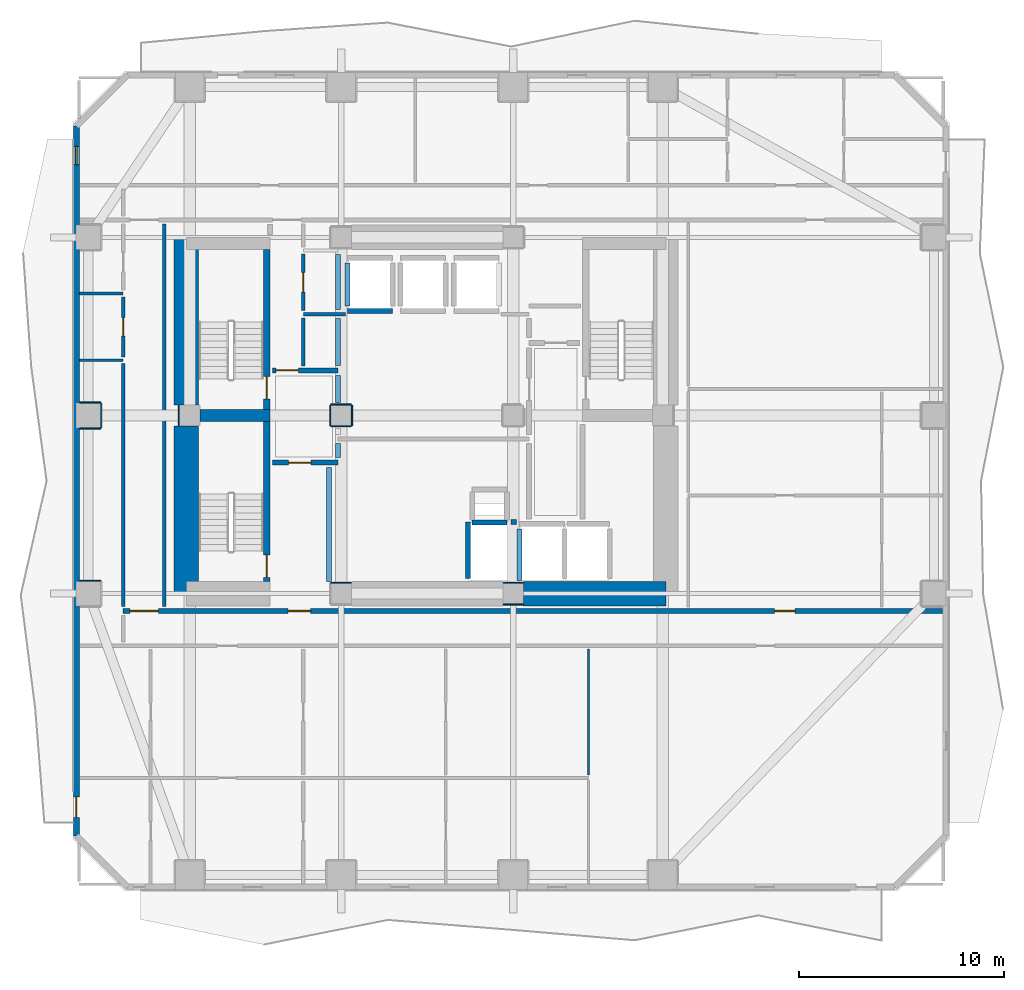
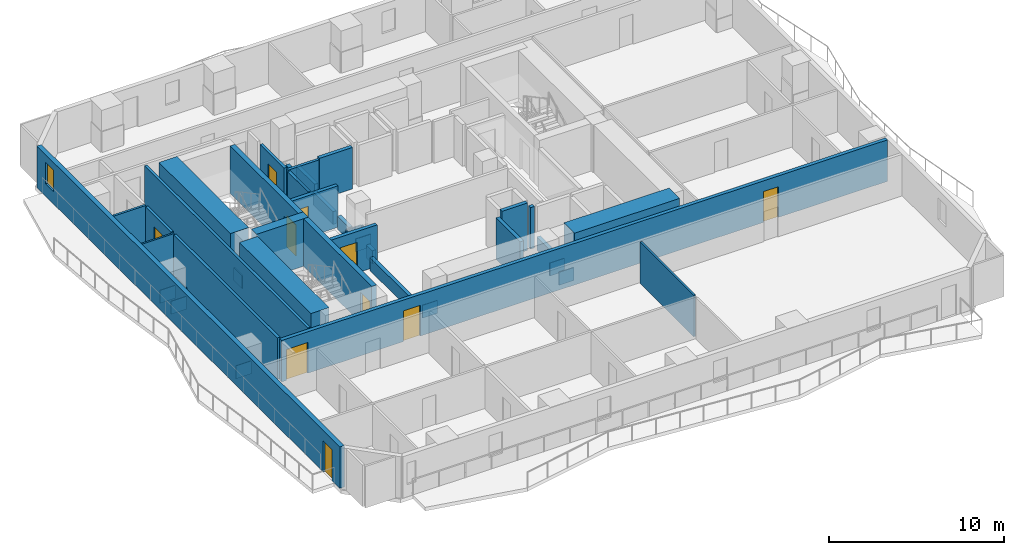
# One storey, part 3 of 9: 42 walls, 10 doors, 1 window, 11 openings.
"""IFC4 building model written with IfcOpenShell, lengths in metres."""

from ifc_helpers import new_model, si_unit, direction, frame, frame_2d, origin, place, context, subcontext, project, spatial, rectangle, extrude, material, layer, layer_set, type_object, element, fill, save


model = new_model("IFC4")

# Units and contexts
model_context = context("Model", 3, precision=1e-05, world=origin(), true_north=direction((0.0, 1.0)))
body_context = subcontext(model_context, "Body", "Model", "MODEL_VIEW")
ifc_project = project(units=[si_unit("LENGTHUNIT", "METRE"), si_unit("AREAUNIT", "SQUARE_METRE"), si_unit("VOLUMEUNIT", "CUBIC_METRE"), si_unit("PLANEANGLEUNIT", "RADIAN"), si_unit("MASSUNIT", "GRAM", prefix="KILO")], contexts=[model_context])

# Site, building, storey
site_placement = place(None, origin())
site = spatial("IfcSite", under=ifc_project, at=site_placement, CompositionType="ELEMENT")
building_placement = place(site_placement, origin())
building = spatial("IfcBuilding", under=site, at=building_placement, Name="Solanera Arch Residences", CompositionType="ELEMENT")
storey_placement = place(building_placement, frame((0.0, 0.0, 58.52001953125)))
storey = spatial("IfcBuildingStorey", under=building, at=storey_placement, Name="L16", CompositionType="ELEMENT", Elevation=58.52001953125)

# Walls
ifc_material_1 = material(Name="Fire-Rated Gypsum Stud Partition", Category="gypsum")
ifc_layer_1 = layer(ifc_material_1, 0.06005859375)
ifc_layer_set_1 = layer_set([ifc_layer_1], Name="Fire-Rated Gypsum Stud Partition")
wall_type_1 = type_object("IfcWallType", Name="Column Acoustic Furring Wall 60", PredefinedType="PARTITIONING", material=ifc_layer_set_1)
wall_1_placement = place(storey_placement, frame((20.300048828125, 22.531982421875, 0.0), z_axis=(0.0, 0.0, 1.0), x_axis=(1.0, 0.0, 0.0)))
element("IfcWall", 1, at=wall_1_placement, inside=storey, type_object=wall_type_1, Name="L16 Column Furring 1N", PredefinedType="PARTITIONING", context=body_context, shape_type="SweptSolid", body=[
    extrude(rectangle(XDim=0.989990234375, YDim=0.06005859375, at=frame_2d((0.4951171875, 0.0))), origin(), (0.0, 0.0, 1.0), 0.905029296875),
])
for number, where, z_axis, x_axis, name in (
    (2, (28.7099609375, 21.468017578125, 0.0), (0.0, 0.0, 1.0), (1.0, 0.0, 0.0), "L16 Column Furring 2S"),
    (3, (28.7099609375, 22.531982421875, 0.0), (0.0, 0.0, 1.0), (1.0, 0.0, 0.0), "L16 Column Furring 2N"),
    (4, (12.867919921875, 30.2099609375, 0.0), (0.0, 0.0, 1.0), (0.0, 1.0, 0.0), "L16 Column Furring 5W"),
):
    element("IfcWall", number, at=place(storey_placement, frame(where, z_axis=z_axis, x_axis=x_axis)), inside=storey, type_object=wall_type_1, Name=name, PredefinedType="PARTITIONING", context=body_context, shape_type="SweptSolid", body=[
        extrude(rectangle(XDim=0.97998046875, YDim=0.06005859375, at=frame_2d((0.489990234375, 0.0))), origin(), (0.0, 0.0, 1.0), 0.905029296875),
    ])
for number, where, z_axis, x_axis, name in (
    (5, (20.300048828125, 30.16796875, 0.0), (0.0, 0.0, 1.0), (1.0, 0.0, 0.0), "L16 Column Furring 7S"),
    (6, (20.300048828125, 31.23193359375, 0.0), (0.0, 0.0, 1.0), (1.0, 0.0, 0.0), "L16 Column Furring 7N"),
    (7, (20.26806640625, 30.199951171875, 0.0), (0.0, 0.0, 1.0), (0.0, 1.0, 0.0), "L16 Column Furring 7W"),
    (8, (21.33203125, 30.199951171875, 0.0), (0.0, 0.0, 1.0), (0.0, 1.0, 0.0), "L16 Column Furring 7E"),
):
    element("IfcWall", number, at=place(storey_placement, frame(where, z_axis=z_axis, x_axis=x_axis)), inside=storey, type_object=wall_type_1, Name=name, PredefinedType="PARTITIONING", context=body_context, shape_type="SweptSolid", body=[
        extrude(rectangle(XDim=1.0, YDim=0.06005859375, at=frame_2d((0.5, 0.0))), origin(), (0.0, 0.0, 1.0), 0.905029296875),
    ])
for number, where, z_axis, x_axis, name in (
    (9, (8.030029296875, 22.632080078125, 0.0), (0.0, 0.0, 1.0), (1.0, 0.0, 0.0), "L16 Column Furring 17N"),
    (10, (8.030029296875, 30.068115234375, 0.0), (0.0, 0.0, 1.0), (1.0, 0.0, 0.0), "L16 Column Furring 19S"),
    (11, (8.030029296875, 31.33203125, 0.0), (0.0, 0.0, 1.0), (1.0, 0.0, 0.0), "L16 Column Furring 19N"),
):
    element("IfcWall", number, at=place(storey_placement, frame(where, z_axis=z_axis, x_axis=x_axis)), inside=storey, type_object=wall_type_1, Name=name, PredefinedType="PARTITIONING", context=body_context, shape_type="SweptSolid", body=[
        extrude(rectangle(XDim=1.02001953125, YDim=0.06005859375, at=frame_2d((0.510009765625, 0.0))), origin(), (0.0, 0.0, 1.0), 0.905029296875),
    ])
wall_2_placement = place(storey_placement, frame((9.08203125, 30.10009765625, 0.0), z_axis=(0.0, 0.0, 1.0), x_axis=(0.0, 1.0, 0.0)))
element("IfcWall", 12, at=wall_2_placement, inside=storey, type_object=wall_type_1, Name="L16 Column Furring 19E", PredefinedType="PARTITIONING", context=body_context, shape_type="SweptSolid", body=[
    extrude(rectangle(XDim=1.199951171875, YDim=0.06005859375, at=frame_2d((0.60009765625, 0.0))), origin(), (0.0, 0.0, 1.0), 1.449951171875),
])
ifc_material_2 = material(Name="Concrete C55/67 (f'c = 60 MPa)", Category="concrete")
ifc_layer_2 = layer(ifc_material_2, 1.199951171875)
ifc_layer_set_2 = layer_set([ifc_layer_2], Name="Concrete C55/67 (f'c = 60 MPa)")
wall_type_2 = type_object("IfcWallType", Name="Core Shear Wall CW-1200", PredefinedType="SHEAR", material=ifc_layer_set_2)
wall_3_placement = place(storey_placement, frame((13.239990234375, 22.0, 0.0), z_axis=(0.0, 0.0, 1.0), x_axis=(0.0, 1.0, 0.0)))
element("IfcWall", 13, at=wall_3_placement, inside=storey, type_object=wall_type_2, Name="L16 West Core South Shear Wall", PredefinedType="SHEAR", context=body_context, shape_type="SweptSolid", body=[
    extrude(rectangle(XDim=8.195068359375, YDim=1.199951171875, at=frame_2d((4.09765625, 0.0))), origin(), (0.0, 0.0, 1.0), 3.320068359375),
])
wall_4_placement = place(storey_placement, frame((13.239990234375, 31.205078125, 0.0), z_axis=(0.0, 0.0, 1.0), x_axis=(0.0, 1.0, 0.0)))
element("IfcWall", 14, at=wall_4_placement, inside=storey, type_object=wall_type_2, Name="L16 West Core North Shear Wall", PredefinedType="SHEAR", context=body_context, shape_type="SweptSolid", body=[
    extrude(rectangle(XDim=8.19482421875, YDim=1.199951171875, at=frame_2d((4.097412109375, 0.0))), origin(), (0.0, 0.0, 1.0), 3.320068359375),
])
wall_5_placement = place(storey_placement, frame((29.705078125, 22.0, 0.0), z_axis=(0.0, 0.0, 1.0), x_axis=(1.0, 0.0, 0.0)))
element("IfcWall", 15, at=wall_5_placement, inside=storey, type_object=wall_type_2, Name="L16 South-East Core Shear Wall", PredefinedType="SHEAR", context=body_context, shape_type="SweptSolid", body=[
    extrude(rectangle(XDim=6.954833984375, YDim=1.199951171875, at=frame_2d((3.4775390625, 0.0))), origin(), (0.0, 0.0, 1.0), 3.320068359375),
])

# Wall, opening, door
ifc_material_3 = material(Name="Concrete C40/50 (f'c = 45 MPa)", Category="concrete")
ifc_layer_3 = layer(ifc_material_3, 0.320068359375)
ifc_layer_set_3 = layer_set([ifc_layer_3], Name="Concrete C40/50 (f'c = 45 MPa)")
wall_type_3 = type_object("IfcWallType", Name="Core Shear Wall CW-320", PredefinedType="SHEAR", material=ifc_layer_set_3)
wall_6_placement = place(storey_placement, frame((17.159912109375, 31.0, 0.0), z_axis=(0.0, 0.0, 1.0), x_axis=(0.0, 1.0, 0.0)))
wall_6 = element("IfcWall", 16, at=wall_6_placement, inside=storey, type_object=wall_type_3, Name="L16 Stair ST-T1 East Shear Wall", PredefinedType="SHEAR", context=body_context, shape_type="SweptSolid", body=[
    extrude(rectangle(XDim=7.800048828125, YDim=0.320068359375, at=frame_2d((3.89990234375, 0.0))), origin(), (0.0, 0.0, 1.0), 3.320068359375),
])
opening_1_placement = place(wall_6_placement, frame((0.510009765625, 0.0, 0.0)))
opening_1 = element("IfcOpeningElement", 17, at=opening_1_placement, cuts=wall_6, Name="Opening DF-01", PredefinedType="OPENING", context=body_context, shape_type="SweptSolid", body=[
    extrude(rectangle(XDim=1.10009765625, YDim=2.14990234375, at=frame_2d((0.550048828125, 1.074951171875))), frame((0.0, 0.169921875, 0.0), z_axis=(0.0, -1.0, 0.0), x_axis=(1.0, 0.0, 0.0)), (0.0, 0.0, 1.0), 0.3401),
])
ifc_material_4 = material(Name="Fire-Rated Architectural Hardwood", Category="wood")
door_type_1 = type_object("IfcDoorType", Name="Stair Exit Fire Door DF-01", OperationType="NOTDEFINED", PredefinedType="DOOR", material=ifc_material_4)
door_1_placement = place(opening_1_placement, origin())
door_1 = element("IfcDoor", 18, at=door_1_placement, inside=storey, type_object=door_type_1, Name="DR-L16-STAIR-ST-T1", OperationType="SINGLE_SWING_RIGHT", OverallHeight=2.14990234375, OverallWidth=1.10009765625, PredefinedType="DOOR", context=body_context, shape_type="SweptSolid", body=[
    extrude(rectangle(XDim=1.10009765625, YDim=2.14990234375, at=frame_2d((0.550048828125, 1.074951171875))), frame((0.0, 0.02490234375, 0.0), z_axis=(0.0, -1.0, 0.0), x_axis=(1.0, 0.0, 0.0)), (0.0, 0.0, 1.0), 0.050048828125),
])
fill(opening_1, door_1)

wall_7_placement = place(storey_placement, frame((17.159912109375, 22.60009765625, 0.0), z_axis=(0.0, 0.0, 1.0), x_axis=(0.0, 1.0, 0.0)))
wall_7 = element("IfcWall", 19, at=wall_7_placement, inside=storey, type_object=wall_type_3, Name="L16 Stair ST-T3 East Shear Wall", PredefinedType="SHEAR", context=body_context, shape_type="SweptSolid", body=[
    extrude(rectangle(XDim=7.7998046875, YDim=0.320068359375, at=frame_2d((3.89990234375, 0.0))), origin(), (0.0, 0.0, 1.0), 3.320068359375),
])
opening_2_placement = place(wall_7_placement, frame((0.18994140625, 0.0, 0.0)))
opening_2 = element("IfcOpeningElement", 20, at=opening_2_placement, cuts=wall_7, Name="Opening DF-01", PredefinedType="OPENING", context=body_context, shape_type="SweptSolid", body=[
    extrude(rectangle(XDim=1.10009765625, YDim=2.14990234375, at=frame_2d((0.550048828125, 1.074951171875))), frame((0.0, 0.169921875, 0.0), z_axis=(0.0, -1.0, 0.0), x_axis=(1.0, 0.0, 0.0)), (0.0, 0.0, 1.0), 0.3401),
])
door_2_placement = place(opening_2_placement, origin())
door_2 = element("IfcDoor", 21, at=door_2_placement, inside=storey, type_object=door_type_1, Name="DR-L16-STAIR-ST-T3", OperationType="SINGLE_SWING_RIGHT", OverallHeight=2.14990234375, OverallWidth=1.10009765625, PredefinedType="DOOR", context=body_context, shape_type="SweptSolid", body=[
    extrude(rectangle(XDim=1.10009765625, YDim=2.14990234375, at=frame_2d((0.550048828125, 1.074951171875))), frame((0.0, 0.02490234375, 0.0), z_axis=(0.0, -1.0, 0.0), x_axis=(1.0, 0.0, 0.0)), (0.0, 0.0, 1.0), 0.050048828125),
])
fill(opening_2, door_2)

# Walls
ifc_material_5 = material(Name="Concrete C40/50 (f'c = 45 MPa)", Category="concrete")
ifc_layer_4 = layer(ifc_material_5, 0.60009765625)
ifc_layer_set_4 = layer_set([ifc_layer_4], Name="Concrete C40/50 (f'c = 45 MPa)")
wall_type_4 = type_object("IfcWallType", Name="Core Shear Wall CW-600", PredefinedType="SHEAR", material=ifc_layer_set_4)
wall_8_placement = place(storey_placement, frame((13.905029296875, 30.699951171875, 0.0), z_axis=(0.0, 0.0, 1.0), x_axis=(1.0, 0.0, 0.0)))
element("IfcWall", 22, at=wall_8_placement, inside=storey, type_object=wall_type_4, Name="L16 West Stair Divider Shear Wall", PredefinedType="SHEAR", context=body_context, shape_type="SweptSolid", body=[
    extrude(rectangle(XDim=3.4150390625, YDim=0.60009765625, at=frame_2d((1.70751953125, 0.0))), origin(), (0.0, 0.0, 1.0), 3.320068359375),
])
ifc_material_6 = material(Name="Autoclaved Aerated Concrete Blockwork", Category="masonry")
ifc_layer_5 = layer(ifc_material_6, 0.179931640625)
ifc_layer_set_5 = layer_set([ifc_layer_5], Name="Autoclaved Aerated Concrete Blockwork")
wall_type_5 = type_object("IfcWallType", Name="Corridor Fire Partition 180", PredefinedType="PARTITIONING", material=ifc_layer_set_5)
wall_9_placement = place(storey_placement, frame((18.949951171875, 35.64990234375, 0.0), z_axis=(0.0, 0.0, 1.0), x_axis=(1.0, 0.0, 0.0)))
element("IfcWall", 23, at=wall_9_placement, inside=storey, type_object=wall_type_5, Name="L16 Interior Partition H8 1", PredefinedType="PARTITIONING", context=body_context, shape_type="SweptSolid", body=[
    extrude(rectangle(XDim=2.05712890625, YDim=0.179931640625, at=frame_2d((1.028564453125, 0.0))), origin(), (0.0, 0.0, 1.0), 2.89990234375),
])
wall_10_placement = place(storey_placement, frame((10.14990234375, 21.367919921875, 0.0), z_axis=(0.0, 0.0, 1.0), x_axis=(0.0, 1.0, 0.0)))
element("IfcWall", 24, at=wall_10_placement, inside=storey, type_object=wall_type_5, Name="L16 Interior Partition V6 2", PredefinedType="PARTITIONING", context=body_context, shape_type="SweptSolid", body=[
    extrude(rectangle(XDim=11.8740234375, YDim=0.179931640625, at=frame_2d((5.93701171875, 0.0))), origin(), (0.0, 0.0, 1.0), 2.89990234375),
])

# Wall, opening, door
wall_11_placement = place(storey_placement, frame((10.14990234375, 33.55810546875, 0.0), z_axis=(0.0, 0.0, 1.0), x_axis=(0.0, 1.0, 0.0)))
wall_11 = element("IfcWall", 25, at=wall_11_placement, inside=storey, type_object=wall_type_5, Name="L16 Interior Partition V6 3", PredefinedType="PARTITIONING", context=body_context, shape_type="SweptSolid", body=[
    extrude(rectangle(XDim=2.923828125, YDim=0.179931640625, at=frame_2d((1.4619140625, 0.0))), origin(), (0.0, 0.0, 1.0), 2.89990234375),
])
opening_3_placement = place(wall_11_placement, frame((1.01708984375, 0.0, 0.0)))
opening_3 = element("IfcOpeningElement", 26, at=opening_3_placement, cuts=wall_11, Name="Opening DI-02", PredefinedType="OPENING", context=body_context, shape_type="SweptSolid", body=[
    extrude(rectangle(XDim=0.89990234375, YDim=2.10009765625, at=frame_2d((0.449951171875, 1.050048828125))), frame((0.0, 0.10009765625, 0.0), z_axis=(0.0, -1.0, 0.0), x_axis=(1.0, 0.0, 0.0)), (0.0, 0.0, 1.0), 0.1999),
])
ifc_material_7 = material(Name="Fire-Rated Architectural Hardwood", Category="wood")
door_type_2 = type_object("IfcDoorType", Name="Suite Room Swing Door DI-02", OperationType="NOTDEFINED", PredefinedType="DOOR", material=ifc_material_7)
door_3_placement = place(opening_3_placement, origin())
door_3 = element("IfcDoor", 27, at=door_3_placement, inside=storey, type_object=door_type_2, Name="DR-L16-IN-029", OperationType="SINGLE_SWING_RIGHT", OverallHeight=2.10009765625, OverallWidth=0.89990234375, PredefinedType="DOOR", context=body_context, shape_type="SweptSolid", body=[
    extrude(rectangle(XDim=0.89990234375, YDim=2.10009765625, at=frame_2d((0.449951171875, 1.050048828125))), frame((0.0, 0.02490234375, 0.0), z_axis=(0.0, -1.0, 0.0), x_axis=(1.0, 0.0, 0.0)), (0.0, 0.0, 1.0), 0.050048828125),
])
fill(opening_3, door_3)

# Walls
wall_12_placement = place(storey_placement, frame((12.14990234375, 21.367919921875, 0.0), z_axis=(0.0, 0.0, 1.0), x_axis=(0.0, 1.0, 0.0)))
element("IfcWall", 28, at=wall_12_placement, inside=storey, type_object=wall_type_5, Name="L16 Interior Partition V7", PredefinedType="PARTITIONING", context=body_context, shape_type="SweptSolid", body=[
    extrude(rectangle(XDim=18.694091796875, YDim=0.179931640625, at=frame_2d((9.34716796875, 0.0))), origin(), (0.0, 0.0, 1.0), 2.89990234375),
])
wall_13_placement = place(storey_placement, frame((18.949951171875, 33.117919921875, 0.0), z_axis=(0.0, 0.0, 1.0), x_axis=(0.0, 1.0, 0.0)))
element("IfcWall", 29, at=wall_13_placement, inside=storey, type_object=wall_type_5, Name="L16 Interior Partition V9 1", PredefinedType="PARTITIONING", context=body_context, shape_type="SweptSolid", body=[
    extrude(rectangle(XDim=2.343994140625, YDim=0.179931640625, at=frame_2d((1.171875, 0.0))), origin(), (0.0, 0.0, 1.0), 2.89990234375),
])

# Wall, opening, door
wall_14_placement = place(storey_placement, frame((18.949951171875, 35.837890625, 0.0), z_axis=(0.0, 0.0, 1.0), x_axis=(0.0, 1.0, 0.0)))
wall_14 = element("IfcWall", 30, at=wall_14_placement, inside=storey, type_object=wall_type_5, Name="L16 Interior Partition V9 2", PredefinedType="PARTITIONING", context=body_context, shape_type="SweptSolid", body=[
    extrude(rectangle(XDim=2.744140625, YDim=0.179931640625, at=frame_2d((1.3720703125, 0.0))), origin(), (0.0, 0.0, 1.0), 2.89990234375),
])
opening_4_placement = place(wall_14_placement, frame((0.886962890625, 0.0, 0.0)))
opening_4 = element("IfcOpeningElement", 31, at=opening_4_placement, cuts=wall_14, Name="Opening DI-04", PredefinedType="OPENING", context=body_context, shape_type="SweptSolid", body=[
    extrude(rectangle(XDim=0.949951171875, YDim=2.10009765625, at=frame_2d((0.47509765625, 1.050048828125))), frame((0.0, 0.10009765625, 0.0), z_axis=(0.0, -1.0, 0.0), x_axis=(1.0, 0.0, 0.0)), (0.0, 0.0, 1.0), 0.1999),
])
ifc_material_8 = material(Name="Fire-Rated Architectural Hardwood", Category="wood")
door_type_3 = type_object("IfcDoorType", Name="Accessible Restroom Door DI-04", OperationType="NOTDEFINED", PredefinedType="DOOR", material=ifc_material_8)
door_4_placement = place(opening_4_placement, origin())
door_4 = element("IfcDoor", 32, at=door_4_placement, inside=storey, type_object=door_type_3, Name="DR-L16-IN-012", OperationType="SINGLE_SWING_LEFT", OverallHeight=2.10009765625, OverallWidth=0.949951171875, PredefinedType="DOOR", context=body_context, shape_type="SweptSolid", body=[
    extrude(rectangle(XDim=0.949951171875, YDim=2.10009765625, at=frame_2d((0.47509765625, 1.050048828125))), frame((0.0, 0.02490234375, 0.0), z_axis=(0.0, -1.0, 0.0), x_axis=(1.0, 0.0, 0.0)), (0.0, 0.0, 1.0), 0.050048828125),
])
fill(opening_4, door_4)

# Wall, openings, door, window
ifc_material_9 = material(Name="Precast Concrete C35/45", Category="concrete")
ifc_layer_6 = layer(ifc_material_9, 0.300048828125)
ifc_layer_set_6 = layer_set([ifc_layer_6], Name="Precast Concrete C35/45")
wall_type_6 = type_object("IfcWallType", Name="Exterior Wall Precast Masonry-Frame 300", PredefinedType="STANDARD", material=ifc_layer_set_6)
wall_15_placement = place(storey_placement, frame((7.864990234375, 10.1650390625, 0.0), z_axis=(0.0, 0.0, 1.0), x_axis=(0.0, 1.0, 0.0)))
wall_15 = element("IfcWall", 33, at=wall_15_placement, inside=storey, type_object=wall_type_6, Name="L16 Tower Exterior Precast Masonry-Frame Wall W", PredefinedType="STANDARD", context=body_context, shape_type="SweptSolid", body=[
    extrude(rectangle(XDim=34.669921875, YDim=0.300048828125, at=frame_2d((17.3349609375, 0.0))), origin(), (0.0, 0.0, 1.0), 2.89990234375),
])
opening_5_placement = place(wall_15_placement, frame((0.90087890625, 0.0, 0.0)))
opening_5 = element("IfcOpeningElement", 34, at=opening_5_placement, cuts=wall_15, Name="Opening DB-01", PredefinedType="OPENING", context=body_context, shape_type="SweptSolid", body=[
    extrude(rectangle(XDim=1.0, YDim=2.14990234375, at=frame_2d((0.5, 1.074951171875))), frame((0.0, 0.159912109375, 0.0), z_axis=(0.0, -1.0, 0.0), x_axis=(1.0, 0.0, 0.0)), (0.0, 0.0, 1.0), 0.32),
])
opening_6_placement = place(wall_15_placement, frame((32.781982421875, 0.0, 0.85009765625)))
opening_6 = element("IfcOpeningElement", 35, at=opening_6_placement, cuts=wall_15, Name="Opening W-06", PredefinedType="OPENING", context=body_context, shape_type="SweptSolid", body=[
    extrude(rectangle(XDim=0.89990234375, YDim=1.5, at=frame_2d((0.449951171875, 0.75))), frame((0.0, 0.159912109375, 0.0), z_axis=(0.0, -1.0, 0.0), x_axis=(1.0, 0.0, 0.0)), (0.0, 0.0, 1.0), 0.32),
])
ifc_material_10 = material(Name="Anodised Aluminium Alloy 6063-T6", Category="aluminium")
door_type_4 = type_object("IfcDoorType", Name="Glazed Balcony Swing Door DB-01", OperationType="NOTDEFINED", PredefinedType="DOOR", material=ifc_material_10)
door_5_placement = place(opening_5_placement, origin())
door_5 = element("IfcDoor", 36, at=door_5_placement, inside=storey, type_object=door_type_4, Name="DR-L16-OUT-04", OperationType="SINGLE_SWING_LEFT", OverallHeight=2.14990234375, OverallWidth=1.0, PredefinedType="DOOR", context=body_context, shape_type="SweptSolid", body=[
    extrude(rectangle(XDim=1.0, YDim=2.14990234375, at=frame_2d((0.5, 1.074951171875))), frame((0.0, 0.02490234375, 0.0), z_axis=(0.0, -1.0, 0.0), x_axis=(1.0, 0.0, 0.0)), (0.0, 0.0, 1.0), 0.050048828125),
])
fill(opening_5, door_5)
ifc_material_11 = material(Name="Double Glazed Low-E Laminated Glass", Category="glass")
window_type = type_object("IfcWindowType", Name="Punched Window W-06", PartitioningType="SINGLE_PANEL", PredefinedType="WINDOW", material=ifc_material_11)
window_placement = place(opening_6_placement, origin())
window = element("IfcWindow", 37, at=window_placement, inside=storey, type_object=window_type, Name="L16 AMN-MTG1 Punched Window", OverallHeight=1.5, OverallWidth=0.89990234375, PartitioningType="SINGLE_PANEL", PredefinedType="WINDOW", context=body_context, shape_type="SweptSolid", body=[
    extrude(rectangle(XDim=0.89990234375, YDim=1.5, at=frame_2d((0.449951171875, 0.75))), frame((0.0, 0.030029296875, 0.0), z_axis=(0.0, -1.0, 0.0), x_axis=(1.0, 0.0, 0.0)), (0.0, 0.0, 1.0), 0.06005859375),
])
fill(opening_6, window)

# Walls
ifc_material_12 = material(Name="Concrete C40/50 (f'c = 45 MPa)", Category="concrete")
ifc_layer_7 = layer(ifc_material_12, 0.239990234375)
ifc_layer_set_7 = layer_set([ifc_layer_7], Name="Concrete C40/50 (f'c = 45 MPa)")
wall_type_7 = type_object("IfcWallType", Name="Ramp Bearing Shear Wall RW-240", PredefinedType="SHEAR", material=ifc_layer_set_7)
wall_16_placement = place(storey_placement, frame((27.199951171875, 25.47998046875, 0.0), z_axis=(0.0, 0.0, 1.0), x_axis=(1.0, 0.0, 0.0)))
element("IfcWall", 38, at=wall_16_placement, inside=storey, type_object=wall_type_7, Name="L16 Core MEP Riser South Shaft Wall", PredefinedType="SHEAR", context=body_context, shape_type="SweptSolid", body=[
    extrude(rectangle(XDim=1.699951171875, YDim=0.239990234375, at=frame_2d((0.85009765625, 0.0))), origin(), (0.0, 0.0, 1.0), 3.320068359375),
])
ifc_material_13 = material(Name="Autoclaved Aerated Concrete Blockwork", Category="masonry")
ifc_layer_8 = layer(ifc_material_13, 0.239990234375)
ifc_layer_set_8 = layer_set([ifc_layer_8], Name="Autoclaved Aerated Concrete Blockwork")
wall_type_8 = type_object("IfcWallType", Name="Shaft Wall Fire-Rated 240", PredefinedType="PARTITIONING", material=ifc_layer_set_8)
wall_17_placement = place(storey_placement, frame((21.10009765625, 35.800048828125, 0.0), z_axis=(0.0, 0.0, 1.0), x_axis=(1.0, 0.0, 0.0)))
element("IfcWall", 39, at=wall_17_placement, inside=storey, type_object=wall_type_8, Name="L16 Lift PL-L1 Hoistway Wall S", PredefinedType="PARTITIONING", context=body_context, shape_type="SweptSolid", body=[
    extrude(rectangle(XDim=2.199951171875, YDim=0.239990234375, at=frame_2d((1.10009765625, 0.0))), origin(), (0.0, 0.0, 1.0), 2.89990234375),
])
wall_18_placement = place(storey_placement, frame((21.10009765625, 36.048095703125, 0.0), z_axis=(0.0, 0.0, 1.0), x_axis=(0.0, 1.0, 0.0)))
element("IfcWall", 40, at=wall_18_placement, inside=storey, type_object=wall_type_8, Name="L16 Lift PL-L1 Hoistway Wall W", PredefinedType="PARTITIONING", context=body_context, shape_type="SweptSolid", body=[
    extrude(rectangle(XDim=2.10400390625, YDim=0.239990234375, at=frame_2d((1.052001953125, 0.0))), origin(), (0.0, 0.0, 1.0), 0.905029296875),
])
wall_19_placement = place(storey_placement, frame((29.5, 22.632080078125, 0.0), z_axis=(0.0, 0.0, 1.0), x_axis=(0.0, 1.0, 0.0)))
element("IfcWall", 41, at=wall_19_placement, inside=storey, type_object=wall_type_8, Name="L16 Lift FFL-1 Hoistway Wall W", PredefinedType="PARTITIONING", context=body_context, shape_type="SweptSolid", body=[
    extrude(rectangle(XDim=2.52001953125, YDim=0.239990234375, at=frame_2d((1.260009765625, 0.0))), origin(), (0.0, 0.0, 1.0), 0.905029296875),
])
wall_20_placement = place(storey_placement, frame((29.10302734375, 25.5, 0.0), z_axis=(0.0, 0.0, 1.0), x_axis=(1.0, 0.0, 0.0)))
element("IfcWall", 42, at=wall_20_placement, inside=storey, type_object=wall_type_8, Name="L16 Lift SVL-1 Hoistway Wall N", PredefinedType="PARTITIONING", context=body_context, shape_type="SweptSolid", body=[
    extrude(rectangle(XDim=0.26904296875, YDim=0.239990234375, at=frame_2d((0.134521484375, 0.0))), origin(), (0.0, 0.0, 1.0), 2.89990234375),
])
wall_21_placement = place(storey_placement, frame((27.0, 22.72998046875, 0.0), z_axis=(0.0, 0.0, 1.0), x_axis=(0.0, 1.0, 0.0)))
element("IfcWall", 43, at=wall_21_placement, inside=storey, type_object=wall_type_8, Name="L16 Lift SVL-1 Hoistway Wall W", PredefinedType="PARTITIONING", context=body_context, shape_type="SweptSolid", body=[
    extrude(rectangle(XDim=2.76806640625, YDim=0.239990234375, at=frame_2d((1.384033203125, 0.0))), origin(), (0.0, 0.0, 1.0), 2.89990234375),
])

# Wall, openings, doors
wall_22_placement = place(storey_placement, frame((10.14990234375, 21.14990234375, 0.0), z_axis=(0.0, 0.0, 1.0), x_axis=(1.0, 0.0, 0.0)))
wall_22 = element("IfcWall", 44, at=wall_22_placement, inside=storey, type_object=wall_type_8, Name="L16 Interior Partition H1", PredefinedType="PARTITIONING", context=body_context, shape_type="SweptSolid", body=[
    extrude(rectangle(XDim=40.023193359375, YDim=0.239990234375, at=frame_2d((20.01171875, 0.0))), origin(), (0.0, 0.0, 1.0), 2.89990234375),
])
opening_7_placement = place(wall_22_placement, frame((8.06005859375, 0.0, 0.0)))
opening_7 = element("IfcOpeningElement", 45, at=opening_7_placement, cuts=wall_22, Name="Opening DF-02", PredefinedType="OPENING", context=body_context, shape_type="SweptSolid", body=[
    extrude(rectangle(XDim=1.10009765625, YDim=2.14990234375, at=frame_2d((0.550048828125, 1.074951171875))), frame((0.0, 0.1298828125, 0.0), z_axis=(0.0, -1.0, 0.0), x_axis=(1.0, 0.0, 0.0)), (0.0, 0.0, 1.0), 0.26),
])
opening_8_placement = place(wall_22_placement, frame((0.323974609375, 0.0, 0.0)))
opening_8 = element("IfcOpeningElement", 46, at=opening_8_placement, cuts=wall_22, Name="Opening DF-03", PredefinedType="OPENING", context=body_context, shape_type="SweptSolid", body=[
    extrude(rectangle(XDim=1.39990234375, YDim=2.14990234375, at=frame_2d((0.699951171875, 1.074951171875))), frame((0.0, 0.1298828125, 0.0), z_axis=(0.0, -1.0, 0.0), x_axis=(1.0, 0.0, 0.0)), (0.0, 0.0, 1.0), 0.26),
])
opening_9_placement = place(wall_22_placement, frame((31.824951171875, 0.0, 0.0)))
opening_9 = element("IfcOpeningElement", 47, at=opening_9_placement, cuts=wall_22, Name="Opening DI-01", PredefinedType="OPENING", context=body_context, shape_type="SweptSolid", body=[
    extrude(rectangle(XDim=1.0, YDim=2.14990234375, at=frame_2d((0.5, 1.074951171875))), frame((0.0, 0.1298828125, 0.0), z_axis=(0.0, -1.0, 0.0), x_axis=(1.0, 0.0, 0.0)), (0.0, 0.0, 1.0), 0.26),
])
ifc_material_14 = material(Name="Fire-Rated Architectural Hardwood", Category="wood")
door_type_5 = type_object("IfcDoorType", Name="Corridor Smoke Door DF-03", OperationType="NOTDEFINED", PredefinedType="DOOR", material=ifc_material_14)
door_6_placement = place(opening_8_placement, origin())
door_6 = element("IfcDoor", 48, at=door_6_placement, inside=storey, type_object=door_type_5, Name="DR-L16-IN-010", OperationType="SINGLE_SWING_LEFT", OverallHeight=2.14990234375, OverallWidth=1.39990234375, PredefinedType="DOOR", context=body_context, shape_type="SweptSolid", body=[
    extrude(rectangle(XDim=1.39990234375, YDim=2.14990234375, at=frame_2d((0.699951171875, 1.074951171875))), frame((0.0, 0.02490234375, 0.0), z_axis=(0.0, -1.0, 0.0), x_axis=(1.0, 0.0, 0.0)), (0.0, 0.0, 1.0), 0.050048828125),
])
fill(opening_8, door_6)
ifc_material_15 = material(Name="Fire-Rated Architectural Hardwood", Category="wood")
door_type_6 = type_object("IfcDoorType", Name="Firefighting Lobby Fire Door DF-02", OperationType="NOTDEFINED", PredefinedType="DOOR", material=ifc_material_15)
door_7_placement = place(opening_7_placement, origin())
door_7 = element("IfcDoor", 49, at=door_7_placement, inside=storey, type_object=door_type_6, Name="DR-L16-IN-008", OperationType="SINGLE_SWING_LEFT", OverallHeight=2.14990234375, OverallWidth=1.10009765625, PredefinedType="DOOR", context=body_context, shape_type="SweptSolid", body=[
    extrude(rectangle(XDim=1.10009765625, YDim=2.14990234375, at=frame_2d((0.550048828125, 1.074951171875))), frame((0.0, 0.02490234375, 0.0), z_axis=(0.0, -1.0, 0.0), x_axis=(1.0, 0.0, 0.0)), (0.0, 0.0, 1.0), 0.050048828125),
])
fill(opening_7, door_7)
ifc_material_16 = material(Name="Fire-Rated Architectural Hardwood", Category="wood")
door_type_7 = type_object("IfcDoorType", Name="Unit Entrance Fire Door DI-01", OperationType="NOTDEFINED", PredefinedType="DOOR", material=ifc_material_16)
door_8_placement = place(opening_9_placement, origin())
door_8 = element("IfcDoor", 50, at=door_8_placement, inside=storey, type_object=door_type_7, Name="DR-L16-IN-031", OperationType="SINGLE_SWING_RIGHT", OverallHeight=2.14990234375, OverallWidth=1.0, PredefinedType="DOOR", context=body_context, shape_type="SweptSolid", body=[
    extrude(rectangle(XDim=1.0, YDim=2.14990234375, at=frame_2d((0.5, 1.074951171875))), frame((0.0, 0.02490234375, 0.0), z_axis=(0.0, -1.0, 0.0), x_axis=(1.0, 0.0, 0.0)), (0.0, 0.0, 1.0), 0.050048828125),
])
fill(opening_9, door_8)

# Wall, opening, door
wall_23_placement = place(storey_placement, frame((17.449951171875, 28.39990234375, 0.0), z_axis=(0.0, 0.0, 1.0), x_axis=(1.0, 0.0, 0.0)))
wall_23 = element("IfcWall", 51, at=wall_23_placement, inside=storey, type_object=wall_type_8, Name="L16 Interior Partition H3", PredefinedType="PARTITIONING", context=body_context, shape_type="SweptSolid", body=[
    extrude(rectangle(XDim=3.199951171875, YDim=0.239990234375, at=frame_2d((1.60009765625, 0.0))), origin(), (0.0, 0.0, 1.0), 2.89990234375),
])
opening_10_placement = place(wall_23_placement, frame((0.783935546875, 0.0, 0.0)))
opening_10 = element("IfcOpeningElement", 52, at=opening_10_placement, cuts=wall_23, Name="Opening DF-02", PredefinedType="OPENING", context=body_context, shape_type="SweptSolid", body=[
    extrude(rectangle(XDim=1.10009765625, YDim=2.14990234375, at=frame_2d((0.550048828125, 1.074951171875))), frame((0.0, 0.1298828125, 0.0), z_axis=(0.0, -1.0, 0.0), x_axis=(1.0, 0.0, 0.0)), (0.0, 0.0, 1.0), 0.26),
])
door_9_placement = place(opening_10_placement, origin())
door_9 = element("IfcDoor", 53, at=door_9_placement, inside=storey, type_object=door_type_6, Name="DR-L16-IN-004", OperationType="SINGLE_SWING_LEFT", OverallHeight=2.14990234375, OverallWidth=1.10009765625, PredefinedType="DOOR", context=body_context, shape_type="SweptSolid", body=[
    extrude(rectangle(XDim=1.10009765625, YDim=2.14990234375, at=frame_2d((0.550048828125, 1.074951171875))), frame((0.0, 0.02490234375, 0.0), z_axis=(0.0, -1.0, 0.0), x_axis=(1.0, 0.0, 0.0)), (0.0, 0.0, 1.0), 0.050048828125),
])
fill(opening_10, door_9)

wall_24_placement = place(storey_placement, frame((17.449951171875, 32.89990234375, 0.0), z_axis=(0.0, 0.0, 1.0), x_axis=(1.0, 0.0, 0.0)))
wall_24 = element("IfcWall", 54, at=wall_24_placement, inside=storey, type_object=wall_type_8, Name="L16 Interior Partition H4", PredefinedType="PARTITIONING", context=body_context, shape_type="SweptSolid", body=[
    extrude(rectangle(XDim=3.199951171875, YDim=0.239990234375, at=frame_2d((1.60009765625, 0.0))), origin(), (0.0, 0.0, 1.0), 2.89990234375),
])
opening_11_placement = place(wall_24_placement, frame((0.158935546875, 0.0, 0.0)))
opening_11 = element("IfcOpeningElement", 55, at=opening_11_placement, cuts=wall_24, Name="Opening DF-02", PredefinedType="OPENING", context=body_context, shape_type="SweptSolid", body=[
    extrude(rectangle(XDim=1.10009765625, YDim=2.14990234375, at=frame_2d((0.550048828125, 1.074951171875))), frame((0.0, 0.1298828125, 0.0), z_axis=(0.0, -1.0, 0.0), x_axis=(1.0, 0.0, 0.0)), (0.0, 0.0, 1.0), 0.26),
])
door_10_placement = place(opening_11_placement, origin())
door_10 = element("IfcDoor", 56, at=door_10_placement, inside=storey, type_object=door_type_6, Name="DR-L16-IN-005", OperationType="SINGLE_SWING_RIGHT", OverallHeight=2.14990234375, OverallWidth=1.10009765625, PredefinedType="DOOR", context=body_context, shape_type="SweptSolid", body=[
    extrude(rectangle(XDim=1.10009765625, YDim=2.14990234375, at=frame_2d((0.550048828125, 1.074951171875))), frame((0.0, 0.02490234375, 0.0), z_axis=(0.0, -1.0, 0.0), x_axis=(1.0, 0.0, 0.0)), (0.0, 0.0, 1.0), 0.050048828125),
])
fill(opening_11, door_10)

# Walls
wall_25_placement = place(storey_placement, frame((20.199951171875, 22.5859375, 0.0), z_axis=(0.0, 0.0, 1.0), x_axis=(0.0, 1.0, 0.0)))
element("IfcWall", 57, at=wall_25_placement, inside=storey, type_object=wall_type_8, Name="L16 Interior Partition V2", PredefinedType="PARTITIONING", context=body_context, shape_type="SweptSolid", body=[
    extrude(rectangle(XDim=5.566162109375, YDim=0.239990234375, at=frame_2d((2.783203125, 0.0))), origin(), (0.0, 0.0, 1.0), 0.905029296875),
])
wall_26_placement = place(storey_placement, frame((20.64990234375, 28.64794921875, 0.0), z_axis=(0.0, 0.0, 1.0), x_axis=(0.0, 1.0, 0.0)))
element("IfcWall", 58, at=wall_26_placement, inside=storey, type_object=wall_type_8, Name="L16 Interior Partition V3 1", PredefinedType="PARTITIONING", context=body_context, shape_type="SweptSolid", body=[
    extrude(rectangle(XDim=0.68408203125, YDim=0.239990234375, at=frame_2d((0.342041015625, 0.0))), origin(), (0.0, 0.0, 1.0), 0.905029296875),
])
wall_27_placement = place(storey_placement, frame((20.64990234375, 31.33203125, 0.0), z_axis=(0.0, 0.0, 1.0), x_axis=(0.0, 1.0, 0.0)))
element("IfcWall", 59, at=wall_27_placement, inside=storey, type_object=wall_type_8, Name="L16 Interior Partition V3 3", PredefinedType="PARTITIONING", context=body_context, shape_type="SweptSolid", body=[
    extrude(rectangle(XDim=1.320068359375, YDim=0.239990234375, at=frame_2d((0.66015625, 0.0))), origin(), (0.0, 0.0, 1.0), 0.905029296875),
])
wall_28_placement = place(storey_placement, frame((20.64990234375, 33.14794921875, 0.0), z_axis=(0.0, 0.0, 1.0), x_axis=(0.0, 1.0, 0.0)))
element("IfcWall", 60, at=wall_28_placement, inside=storey, type_object=wall_type_8, Name="L16 Interior Partition V3 4", PredefinedType="PARTITIONING", context=body_context, shape_type="SweptSolid", body=[
    extrude(rectangle(XDim=2.283935546875, YDim=0.239990234375, at=frame_2d((1.14208984375, 0.0))), origin(), (0.0, 0.0, 1.0), 0.905029296875),
])
wall_29_placement = place(storey_placement, frame((20.64990234375, 35.867919921875, 0.0), z_axis=(0.0, 0.0, 1.0), x_axis=(0.0, 1.0, 0.0)))
element("IfcWall", 61, at=wall_29_placement, inside=storey, type_object=wall_type_8, Name="L16 Interior Partition V3 5", PredefinedType="PARTITIONING", context=body_context, shape_type="SweptSolid", body=[
    extrude(rectangle(XDim=2.68408203125, YDim=0.239990234375, at=frame_2d((1.342041015625, 0.0))), origin(), (0.0, 0.0, 1.0), 0.905029296875),
])
ifc_material_17 = material(Name="Fire-Rated Gypsum Stud Partition", Category="gypsum")
ifc_layer_9 = layer(ifc_material_17, 0.1201171875)
ifc_layer_set_9 = layer_set([ifc_layer_9], Name="Fire-Rated Gypsum Stud Partition")
wall_type_9 = type_object("IfcWallType", Name="Unit Drywall Partition 120", PredefinedType="PARTITIONING", material=ifc_layer_set_9)
wall_30_placement = place(storey_placement, frame((8.027099609375, 33.39990234375, 0.0), z_axis=(0.0, 0.0, 1.0), x_axis=(1.0, 0.0, 0.0)))
element("IfcWall", 62, at=wall_30_placement, inside=storey, type_object=wall_type_9, Name="L16 Interior Partition H20", PredefinedType="PARTITIONING", context=body_context, shape_type="SweptSolid", body=[
    extrude(rectangle(XDim=2.122802734375, YDim=0.1201171875, at=frame_2d((1.0615234375, 0.0))), origin(), (0.0, 0.0, 1.0), 2.89990234375),
])
wall_31_placement = place(storey_placement, frame((32.87890625, 13.137939453125, 0.0), z_axis=(0.0, 0.0, 1.0), x_axis=(0.0, 1.0, 0.0)))
element("IfcWall", 63, at=wall_31_placement, inside=storey, type_object=wall_type_9, Name="L16 Interior Partition V20 2", PredefinedType="PARTITIONING", context=body_context, shape_type="SweptSolid", body=[
    extrude(rectangle(XDim=6.154052734375, YDim=0.1201171875, at=frame_2d((3.0771484375, 0.0))), origin(), (0.0, 0.0, 1.0), 2.89990234375),
])
ifc_material_18 = material(Name="Autoclaved Aerated Concrete Blockwork", Category="masonry")
ifc_layer_10 = layer(ifc_material_18, 0.139892578125)
ifc_layer_set_10 = layer_set([ifc_layer_10], Name="Autoclaved Aerated Concrete Blockwork")
wall_type_10 = type_object("IfcWallType", Name="Wet-Room Partition 140", PredefinedType="PARTITIONING", material=ifc_layer_set_10)
wall_32_placement = place(storey_placement, frame((8.027099609375, 36.64990234375, 0.0), z_axis=(0.0, 0.0, 1.0), x_axis=(1.0, 0.0, 0.0)))
element("IfcWall", 64, at=wall_32_placement, inside=storey, type_object=wall_type_10, Name="L16 Interior Partition H15", PredefinedType="PARTITIONING", context=body_context, shape_type="SweptSolid", body=[
    extrude(rectangle(XDim=2.122802734375, YDim=0.139892578125, at=frame_2d((1.0615234375, 0.0))), origin(), (0.0, 0.0, 1.0), 2.89990234375),
])

save(model, "model.ifc")
